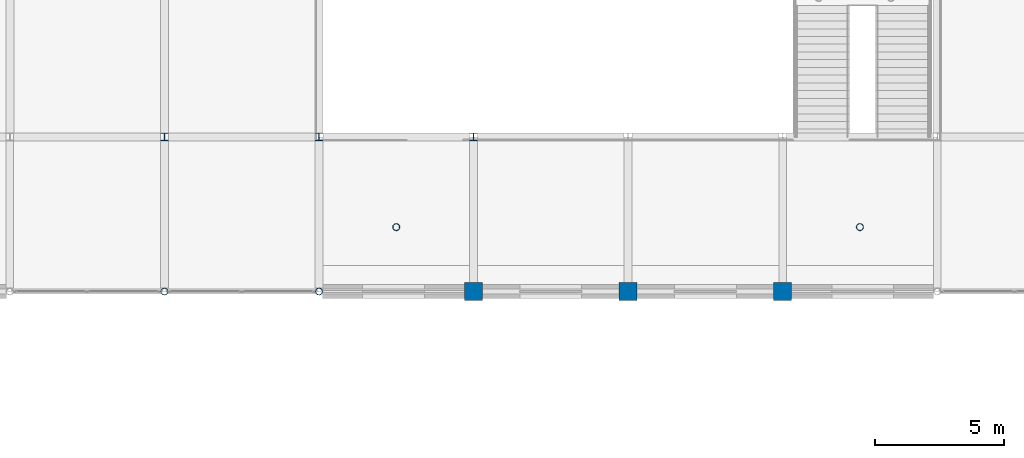
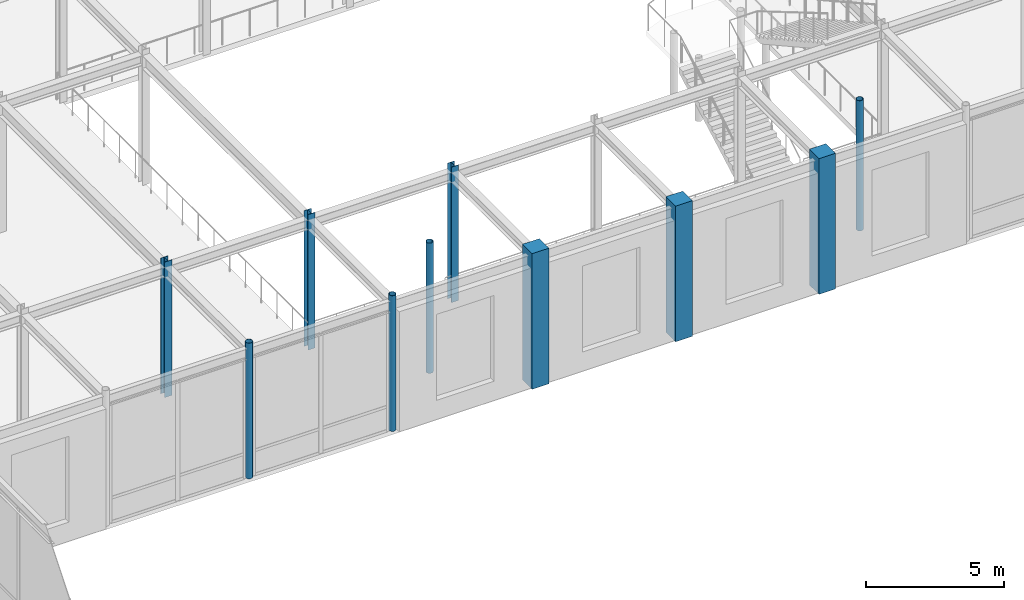
# One storey, part 7 of 108: 10 columns.
"""IFC4 building model written with IfcOpenShell, lengths in metres."""

import ifcopenshell
import ifcopenshell.guid

model = None  # the IFC model being written
_history = None  # IfcOwnerHistory: only IFC2X3 demands one
_inside = {}  # id of a spatial element -> (the spatial element, [elements in it])
_under = {}  # id of a project, library or spatial element -> (it, [spatial elements below it])
_declared = {}  # id of a project -> (the project, [libraries it declares])
_typed = {}  # id of a type object -> (the type object, [elements of that type])
_made_of = {}  # id of a material, layer set ... -> (it, [elements and type objects made of it])


def new_model(schema):
    """Start an empty IFC model of exactly this schema.

    Asked for "IFC4X3", IfcOpenShell would pick the latest addendum, in which some entities
    have other attributes; the version numbers below select the first issue.
    IFC2X3 requires an IfcOwnerHistory on every rooted entity: one is made here for all.
    """
    global model, _history
    if schema == "IFC4X3":
        model = ifcopenshell.file(schema_version=(4, 3, 0, 0))
    else:
        model = ifcopenshell.file(schema=schema)
    _inside.clear()
    _under.clear()
    _declared.clear()
    _typed.clear()
    _made_of.clear()
    _history = None
    if model.schema == "IFC2X3":
        org = make("IfcOrganization", Name="unknown")
        user = make(
            "IfcPersonAndOrganization",
            ThePerson=make("IfcPerson", FamilyName="unknown"),
            TheOrganization=org,
        )
        app = make(
            "IfcApplication",
            ApplicationDeveloper=org,
            Version="unknown",
            ApplicationFullName="unknown",
            ApplicationIdentifier="unknown",
        )
        _history = make(
            "IfcOwnerHistory",
            OwningUser=user,
            OwningApplication=app,
            ChangeAction="ADDED",
            CreationDate=0,
        )
    return model


def make(cls, **values):
    """One entity of the class cls with the attributes given. An attribute that is None is left unset."""
    return model.create_entity(
        cls, **{name: value for name, value in values.items() if value is not None}
    )


def rooted(cls, **values):
    """An entity with a GlobalId (a new one), such as an element, a storey or a relation."""
    return make(cls, GlobalId=ifcopenshell.guid.new(), OwnerHistory=_history, **values)


def si_unit(unit_type, name, prefix=None):
    """IfcSIUnit, for example si_unit("LENGTHUNIT", "METRE", prefix="MILLI")."""
    return make("IfcSIUnit", UnitType=unit_type, Prefix=prefix, Name=name)


def assignment(units):
    """IfcUnitAssignment: the units of a project."""
    return None if units is None else make("IfcUnitAssignment", Units=units)


def point(xyz):
    """IfcCartesianPoint."""
    return None if xyz is None else make("IfcCartesianPoint", Coordinates=xyz)


def direction(xyz):
    """IfcDirection."""
    return None if xyz is None else make("IfcDirection", DirectionRatios=xyz)


def frame(location, z_axis=None, x_axis=None):
    """IfcAxis2Placement3D, a coordinate frame: its origin and axes. An axis left out is left unset."""
    return make(
        "IfcAxis2Placement3D",
        Location=point(location),
        Axis=direction(z_axis),
        RefDirection=direction(x_axis),
    )


def frame_2d(location, x_axis=None):
    """IfcAxis2Placement2D, a coordinate frame in the plane: its origin and x axis."""
    return make(
        "IfcAxis2Placement2D", Location=point(location), RefDirection=direction(x_axis)
    )


def origin():
    """The frame at (0, 0, 0) with its axes left unset."""
    return frame((0.0, 0.0, 0.0))


def origin_2d():
    """The frame at (0, 0) in the plane with its x axis left unset."""
    return frame_2d((0.0, 0.0))


def place(relative_to, where):
    """IfcLocalPlacement: puts the frame where relative to a parent placement (None: the world)."""
    return make(
        "IfcLocalPlacement", PlacementRelTo=relative_to, RelativePlacement=where
    )


def context(
    kind, dimensions, precision=None, world=None, true_north=None, identifier=None
):
    """IfcGeometricRepresentationContext, for example the 3D "Model" context."""
    return make(
        "IfcGeometricRepresentationContext",
        ContextIdentifier=identifier,
        ContextType=kind,
        CoordinateSpaceDimension=dimensions,
        Precision=precision,
        WorldCoordinateSystem=world,
        TrueNorth=true_north,
    )


def subcontext(parent, identifier, kind, view, scale=None):
    """IfcGeometricRepresentationSubContext, for example "Body" below "Model"."""
    return make(
        "IfcGeometricRepresentationSubContext",
        ContextIdentifier=identifier,
        ContextType=kind,
        ParentContext=parent,
        TargetScale=scale,
        TargetView=view,
    )


def project(units=None, contexts=None):
    """IfcProject with its units and contexts."""
    return rooted(
        "IfcProject",
        Name="project",
        RepresentationContexts=contexts,
        UnitsInContext=assignment(units),
    )


def spatial(cls, under=None, at=None, **own):
    """A site, building, storey or space (cls), placed at a placement, below another one or the project."""
    s = rooted(cls, ObjectPlacement=at, **own)
    if under is not None:
        _under.setdefault(under.id(), (under, []))[1].append(s)
    return s


def profile(cls, at=None, kind="AREA", **sizes):
    """A parametric profile (cls). Its sizes go by their IFC names, for example OverallWidth=200.0."""
    return make(cls, ProfileType=kind, Position=at, **sizes)


def rectangle(**sizes):
    """IfcRectangleProfileDef."""
    return profile("IfcRectangleProfileDef", **sizes)


def hollow_circle(**sizes):
    """IfcCircleHollowProfileDef."""
    return profile("IfcCircleHollowProfileDef", **sizes)


def i_section(**sizes):
    """IfcIShapeProfileDef."""
    return profile("IfcIShapeProfileDef", **sizes)


def extrude(swept, where, along, depth):
    """IfcExtrudedAreaSolid: the profile swept, set in the frame where, extruded along a direction by depth."""
    return make(
        "IfcExtrudedAreaSolid",
        SweptArea=swept,
        Position=where,
        ExtrudedDirection=direction(along),
        Depth=depth,
    )


def shape(context_of_items, identifier, shape_type, items):
    """IfcShapeRepresentation: the items that make up one representation, for example the "Body"."""
    return make(
        "IfcShapeRepresentation",
        ContextOfItems=context_of_items,
        RepresentationIdentifier=identifier,
        RepresentationType=shape_type,
        Items=items,
    )


def material(Name=None, Category=None):
    """IfcMaterial."""
    return make("IfcMaterial", Name=Name, Category=Category)


def material_profile(
    of_material, cross_section, Name=None, Category=None, Priority=None
):
    """IfcMaterialProfile: a cross section and its material."""
    return make(
        "IfcMaterialProfile",
        Name=Name,
        Material=of_material,
        Profile=cross_section,
        Priority=Priority,
        Category=Category,
    )


def profile_set(profiles, Name=None, composite=None):
    """IfcMaterialProfileSet."""
    return make(
        "IfcMaterialProfileSet",
        Name=Name,
        MaterialProfiles=profiles,
        CompositeProfile=composite,
    )


def made_of(thing, what):
    """Note that an element or type object is made of a material, layer set ...; save() writes the relation."""
    if what is not None:
        _made_of.setdefault(what.id(), (what, []))[1].append(thing)
    return thing


def type_object(cls, material=None, **own):
    """A type object (cls), such as IfcWallType, which elements share."""
    return made_of(rooted(cls, **own), material)


def element(
    cls,
    number,
    at=None,
    inside=None,
    cuts=None,
    type_object=None,
    material=None,
    context=None,
    identifier="Body",
    shape_type=None,
    held_by="IfcProductDefinitionShape",
    body=None,
    shapes=None,
    **own,
):
    """One element of the class cls, such as IfcWall. Its Tag is "e" and its number.

    at: its placement. inside: the storey or other place that contains it. cuts: it is an
    opening in that element (IfcRelVoidsElement). A single representation is given by context,
    identifier, shape_type and body (its items); several are given by shapes. held_by: the class
    of the entity that holds the representations. save() writes the other relations.
    """
    e = rooted(cls, Tag="e%d" % number, ObjectPlacement=at, **own)
    if body is not None:
        shapes = [shape(context, identifier, shape_type, body)]
    if shapes is not None:
        e.Representation = make(held_by, Representations=shapes)
    if inside is not None:
        _inside.setdefault(inside.id(), (inside, []))[1].append(e)
    if cuts is not None:
        rooted(
            "IfcRelVoidsElement", RelatingBuildingElement=cuts, RelatedOpeningElement=e
        )
    if type_object is not None:
        _typed.setdefault(type_object.id(), (type_object, []))[1].append(e)
    return made_of(e, material)


def aggregate(whole, parts):
    """IfcRelAggregates: a whole, such as a stair, and the parts it consists of."""
    return rooted("IfcRelAggregates", RelatingObject=whole, RelatedObjects=parts)


def save(model, path):
    """Write the relations noted so far, then the file.

    IfcRelAggregates (storeys below a building ...), IfcRelContainedInSpatialStructure (elements
    in a storey), IfcRelDefinesByType, IfcRelAssociatesMaterial and IfcRelDeclares: one each for
    every whole, place, type object, material and project.
    """
    for whole, parts in _under.values():
        aggregate(whole, parts)
    for where, things in _inside.values():
        rooted(
            "IfcRelContainedInSpatialStructure",
            RelatedElements=things,
            RelatingStructure=where,
        )
    for kind, things in _typed.values():
        rooted("IfcRelDefinesByType", RelatedObjects=things, RelatingType=kind)
    for what, things in _made_of.values():
        rooted("IfcRelAssociatesMaterial", RelatedObjects=things, RelatingMaterial=what)
    for by, libraries in _declared.values():
        rooted("IfcRelDeclares", RelatingContext=by, RelatedDefinitions=libraries)
    model.write(path)


model = new_model("IFC4")

# Units and contexts
model_context = context("Model", 3, precision=1e-05, world=origin(), true_north=direction((0.0, 1.0)))
body_context = subcontext(model_context, "Body", "Model", "MODEL_VIEW")
ifc_project = project(units=[si_unit("LENGTHUNIT", "METRE"), si_unit("AREAUNIT", "SQUARE_METRE"), si_unit("VOLUMEUNIT", "CUBIC_METRE"), si_unit("PLANEANGLEUNIT", "RADIAN"), si_unit("MASSUNIT", "GRAM", prefix="KILO")], contexts=[model_context])

# Site, building, storey
site_placement = place(None, origin())
site = spatial("IfcSite", under=ifc_project, at=site_placement, CompositionType="ELEMENT")
building_placement = place(site_placement, origin())
building = spatial("IfcBuilding", under=site, at=building_placement, Name="Zlatovratsky Civic Hall", CompositionType="ELEMENT")
storey_placement = place(building_placement, frame((0.0, 0.0, 6.0)))
storey = spatial("IfcBuildingStorey", under=building, at=storey_placement, Name="L02", CompositionType="ELEMENT", Elevation=6.0)

# Columns
ifc_material_1 = material(Name="Concrete C35/45 (B40)", Category="concrete")
ifc_material_profile_1 = material_profile(ifc_material_1, rectangle(XDim=0.699951171875, YDim=0.699951171875, at=origin_2d()), Name="RC 700x700")
ifc_profile_set_1 = profile_set([ifc_material_profile_1], Name="Concrete C35/45 (B40)")
column_type_1 = type_object("IfcColumnType", Name="Col_CorePier_RC700", PredefinedType="COLUMN", material=ifc_profile_set_1)
for number, where, z_axis, x_axis, name in (
    (1, (78.0, 12.0, 0.0), (0.0, 0.0, 1.0), (1.0, 0.0, 0.0), "CL-0846"),
    (2, (84.0, 12.0, 0.0), (0.0, 0.0, 1.0), (1.0, 0.0, 0.0), "CL-0847"),
    (3, (90.0, 12.0, 0.0), (0.0, 0.0, 1.0), (1.0, 0.0, 0.0), "CL-0848"),
):
    element("IfcColumn", number, at=place(storey_placement, frame(where, z_axis=z_axis, x_axis=x_axis)), inside=storey, type_object=column_type_1, Name=name, PredefinedType="COLUMN", context=body_context, shape_type="SweptSolid", body=[
        extrude(rectangle(XDim=0.699951171875, YDim=0.699951171875, at=origin_2d()), origin(), (0.0, 0.0, 1.0), 6.0),
    ])
ifc_material_2 = material(Name="Steel S355", Category="steel")
ifc_material_profile_2 = material_profile(ifc_material_2, hollow_circle(Radius=0.136474609375, WallThickness=0.010009765625, at=origin_2d()), Name="CHS 273x10")
ifc_profile_set_2 = profile_set([ifc_material_profile_2], Name="Steel S355")
column_type_2 = type_object("IfcColumnType", Name="Col_Portico_CHS273", PredefinedType="COLUMN", material=ifc_profile_set_2)
for number, where, z_axis, x_axis, name in (
    (4, (66.0, 12.0, 0.0), (0.0, 0.0, 1.0), (1.0, 0.0, 0.0), "CL-0844"),
    (5, (72.0, 12.0, 0.0), (0.0, 0.0, 1.0), (1.0, 0.0, 0.0), "CL-0845"),
):
    element("IfcColumn", number, at=place(storey_placement, frame(where, z_axis=z_axis, x_axis=x_axis)), inside=storey, type_object=column_type_2, Name=name, PredefinedType="COLUMN", context=body_context, shape_type="SweptSolid", body=[
        extrude(hollow_circle(Radius=0.136474609375, WallThickness=0.010009765625, at=origin_2d()), origin(), (0.0, 0.0, 1.0), 6.0),
    ])
for number, where, z_axis, x_axis, name in (
    (6, (75.0, 14.5, 0.0), (0.0, 0.0, 1.0), (1.0, 0.0, 0.0), "CL-2757"),
    (7, (93.0, 14.5, 0.0), (0.0, 0.0, 1.0), (1.0, 0.0, 0.0), "CL-2760"),
):
    element("IfcColumn", number, at=place(storey_placement, frame(where, z_axis=z_axis, x_axis=x_axis)), inside=storey, type_object=column_type_2, Name=name, PredefinedType="COLUMN", context=body_context, shape_type="SweptSolid", body=[
        extrude(hollow_circle(Radius=0.136474609375, WallThickness=0.010009765625, at=origin_2d()), origin(), (0.0, 0.0, 1.0), 5.760009765625),
    ])
ifc_material_profile_3 = material_profile(ifc_material_2, i_section(OverallWidth=0.300048828125, OverallDepth=0.300048828125, WebThickness=0.010009765625, FlangeThickness=0.014892578125, FilletRadius=0.01806640625, at=origin_2d()), Name="30K2")
ifc_profile_set_3 = profile_set([ifc_material_profile_3], Name="Steel S355")
column_type_3 = type_object("IfcColumnType", Name="Col_Steel_30K2", PredefinedType="COLUMN", material=ifc_profile_set_3)
for number, where, z_axis, x_axis, name in (
    (8, (66.0, 18.0, 0.0), (0.0, 0.0, 1.0), (1.0, 0.0, 0.0), "CL-0867"),
    (9, (72.0, 18.0, 0.0), (0.0, 0.0, 1.0), (1.0, 0.0, 0.0), "CL-0868"),
    (10, (78.0, 18.0, 0.0), (0.0, 0.0, 1.0), (1.0, 0.0, 0.0), "CL-0869"),
):
    element("IfcColumn", number, at=place(storey_placement, frame(where, z_axis=z_axis, x_axis=x_axis)), inside=storey, type_object=column_type_3, Name=name, PredefinedType="COLUMN", context=body_context, shape_type="SweptSolid", body=[
        extrude(i_section(OverallWidth=0.300048828125, OverallDepth=0.300048828125, WebThickness=0.010009765625, FlangeThickness=0.014892578125, FilletRadius=0.01806640625, at=origin_2d()), origin(), (0.0, 0.0, 1.0), 6.0),
    ])

save(model, "model.ifc")
